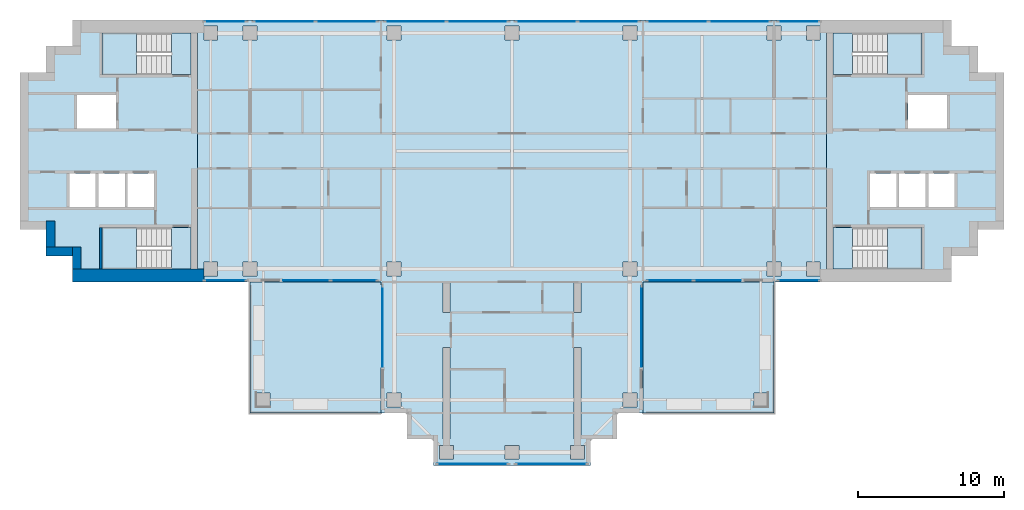
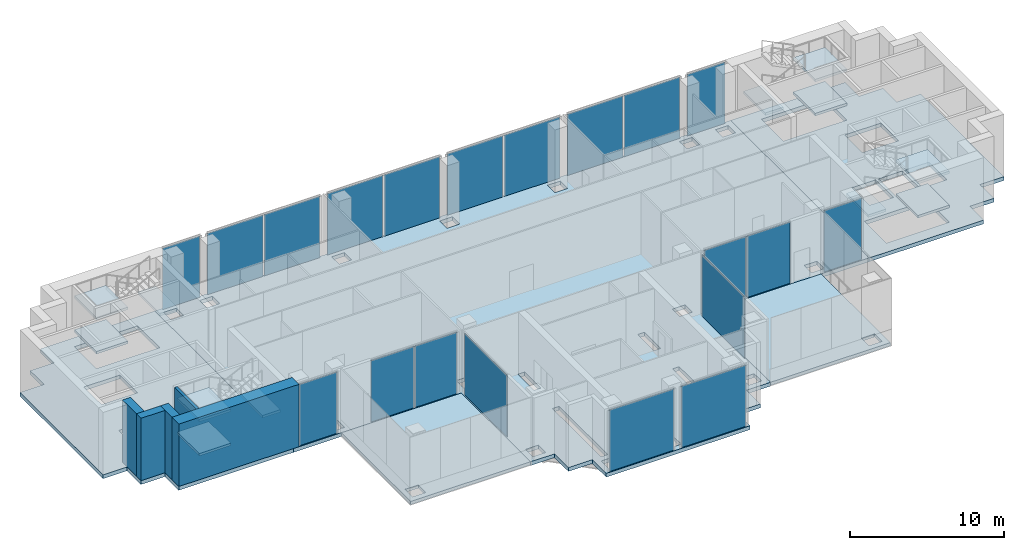
# One storey, part 4 of 12: 20 plates, 17 slabs, 5 walls, 18 elements without a shape of their own.
"""IFC4 building model written with IfcOpenShell, lengths in metres."""

from ifc_helpers import new_model, si_unit, direction, frame, frame_2d, origin, origin_2d, place, context, subcontext, project, spatial, polyline, rectangle, outline, extrude, material, layer, layer_set, type_object, element, aggregate, save


model = new_model("IFC4")

# Units and contexts
model_context = context("Model", 3, precision=1e-05, world=origin(), true_north=direction((0.0, 1.0)))
body_context = subcontext(model_context, "Body", "Model", "MODEL_VIEW")
ifc_project = project(units=[si_unit("LENGTHUNIT", "METRE"), si_unit("AREAUNIT", "SQUARE_METRE"), si_unit("VOLUMEUNIT", "CUBIC_METRE"), si_unit("PLANEANGLEUNIT", "RADIAN"), si_unit("MASSUNIT", "GRAM", prefix="KILO")], contexts=[model_context])

# Site, building, storey
site_placement = place(None, origin())
site = spatial("IfcSite", under=ifc_project, at=site_placement, CompositionType="ELEMENT")
building_placement = place(site_placement, origin())
building = spatial("IfcBuilding", under=site, at=building_placement, Name="Perihelion Cross Residences", CompositionType="ELEMENT")
storey_placement = place(building_placement, frame((0.0, 0.0, 222.60009765625)))
storey = spatial("IfcBuildingStorey", under=building, at=storey_placement, Name="L56", CompositionType="ELEMENT", Elevation=222.60009765625)

# Curtain wall, plate
ifc_material_1 = material(Name="Bronze anodised aluminium, tinted glazing", Category="aluminium")
curtain_wall_type = type_object("IfcCurtainWallType", Name="CW3", PredefinedType="NOTDEFINED", material=ifc_material_1)
curtain_wall_1_placement = place(storey_placement, origin())
curtain_wall_1 = element("IfcCurtainWall", 1, at=curtain_wall_1_placement, inside=storey, type_object=curtain_wall_type, Name="Curtain wall CW3 L56 east side north bay 1", PredefinedType="NOTDEFINED")
ifc_material_2 = material(Name="Tinted laminated glass", Category="glass")
ifc_layer_1 = layer(ifc_material_2, 0.035888671875)
ifc_layer_set_1 = layer_set([ifc_layer_1], Name="CW3 panel")
plate_type = type_object("IfcPlateType", Name="CW3 panel", PredefinedType="CURTAIN_PANEL", material=ifc_layer_set_1)
plate_1_placement = place(storey_placement, frame((19.6875, 8.89990234375, -0.000244140625), z_axis=(0.0, 0.0, 1.0), x_axis=(-1.0, 0.0, 0.0)))
plate_1 = element("IfcPlate", 2, at=plate_1_placement, type_object=plate_type, Name="CW3 panel 1", PredefinedType="CURTAIN_PANEL", context=body_context, shape_type="SweptSolid", body=[
    extrude(rectangle(XDim=2.81494140625, YDim=0.035888671875, at=origin_2d()), origin(), (0.0, 0.0, 1.0), 4.8701171875),
])
aggregate(curtain_wall_1, [plate_1])

# Curtain wall, plates
curtain_wall_2_placement = place(storey_placement, origin())
curtain_wall_2 = element("IfcCurtainWall", 3, at=curtain_wall_2_placement, inside=storey, type_object=curtain_wall_type, Name="Curtain wall CW3 L56 east side north bay 2", PredefinedType="NOTDEFINED")
plate_2_placement = place(storey_placement, frame((15.6298828125, 8.89990234375, -0.000244140625), z_axis=(0.0, 0.0, 1.0), x_axis=(-1.0, 0.0, 0.0)))
plate_2 = element("IfcPlate", 4, at=plate_2_placement, type_object=plate_type, Name="CW3 panel 1", PredefinedType="CURTAIN_PANEL", context=body_context, shape_type="SweptSolid", body=[
    extrude(rectangle(XDim=4.179931640625, YDim=0.035888671875, at=origin_2d()), origin(), (0.0, 0.0, 1.0), 4.8701171875),
])
plate_3_placement = place(storey_placement, frame((11.3701171875, 8.89990234375, -0.000244140625), z_axis=(0.0, 0.0, 1.0), x_axis=(-1.0, 0.0, 0.0)))
plate_3 = element("IfcPlate", 5, at=plate_3_placement, type_object=plate_type, Name="CW3 panel 2", PredefinedType="CURTAIN_PANEL", context=body_context, shape_type="SweptSolid", body=[
    extrude(rectangle(XDim=4.179931640625, YDim=0.035888671875, at=origin_2d()), origin(), (0.0, 0.0, 1.0), 4.8701171875),
])
aggregate(curtain_wall_2, [plate_2, plate_3])

curtain_wall_3_placement = place(storey_placement, origin())
curtain_wall_3 = element("IfcCurtainWall", 6, at=curtain_wall_3_placement, inside=storey, type_object=curtain_wall_type, Name="Curtain wall CW3 L56 north side east bay 1", PredefinedType="NOTDEFINED")
plate_4_placement = place(storey_placement, frame((6.6298828125, 8.89990234375, -0.000244140625), z_axis=(0.0, 0.0, 1.0), x_axis=(-1.0, 0.0, 0.0)))
plate_4 = element("IfcPlate", 7, at=plate_4_placement, type_object=plate_type, Name="CW3 panel 1", PredefinedType="CURTAIN_PANEL", context=body_context, shape_type="SweptSolid", body=[
    extrude(rectangle(XDim=4.179931640625, YDim=0.035888671875, at=origin_2d()), origin(), (0.0, 0.0, 1.0), 4.8701171875),
])
plate_5_placement = place(storey_placement, frame((2.3701171875, 8.89990234375, -0.000244140625), z_axis=(0.0, 0.0, 1.0), x_axis=(-1.0, 0.0, 0.0)))
plate_5 = element("IfcPlate", 8, at=plate_5_placement, type_object=plate_type, Name="CW3 panel 2", PredefinedType="CURTAIN_PANEL", context=body_context, shape_type="SweptSolid", body=[
    extrude(rectangle(XDim=4.179931640625, YDim=0.035888671875, at=origin_2d()), origin(), (0.0, 0.0, 1.0), 4.8701171875),
])
aggregate(curtain_wall_3, [plate_4, plate_5])

curtain_wall_4_placement = place(storey_placement, origin())
curtain_wall_4 = element("IfcCurtainWall", 9, at=curtain_wall_4_placement, inside=storey, type_object=curtain_wall_type, Name="Curtain wall CW3 L56 north side east bay 2", PredefinedType="NOTDEFINED")
plate_6_placement = place(storey_placement, frame((-2.3701171875, 8.89990234375, -0.000244140625), z_axis=(0.0, 0.0, 1.0), x_axis=(-1.0, 0.0, 0.0)))
plate_6 = element("IfcPlate", 10, at=plate_6_placement, type_object=plate_type, Name="CW3 panel 1", PredefinedType="CURTAIN_PANEL", context=body_context, shape_type="SweptSolid", body=[
    extrude(rectangle(XDim=4.179931640625, YDim=0.035888671875, at=origin_2d()), origin(), (0.0, 0.0, 1.0), 4.8701171875),
])
plate_7_placement = place(storey_placement, frame((-6.6298828125, 8.89990234375, -0.000244140625), z_axis=(0.0, 0.0, 1.0), x_axis=(-1.0, 0.0, 0.0)))
plate_7 = element("IfcPlate", 11, at=plate_7_placement, type_object=plate_type, Name="CW3 panel 2", PredefinedType="CURTAIN_PANEL", context=body_context, shape_type="SweptSolid", body=[
    extrude(rectangle(XDim=4.179931640625, YDim=0.035888671875, at=origin_2d()), origin(), (0.0, 0.0, 1.0), 4.8701171875),
])
aggregate(curtain_wall_4, [plate_6, plate_7])

curtain_wall_5_placement = place(storey_placement, origin())
curtain_wall_5 = element("IfcCurtainWall", 12, at=curtain_wall_5_placement, inside=storey, type_object=curtain_wall_type, Name="Curtain wall CW3 L56 west side north bay 1", PredefinedType="NOTDEFINED")
plate_8_placement = place(storey_placement, frame((-11.3701171875, 8.89990234375, -0.000244140625), z_axis=(0.0, 0.0, 1.0), x_axis=(-1.0, 0.0, 0.0)))
plate_8 = element("IfcPlate", 13, at=plate_8_placement, type_object=plate_type, Name="CW3 panel 1", PredefinedType="CURTAIN_PANEL", context=body_context, shape_type="SweptSolid", body=[
    extrude(rectangle(XDim=4.179931640625, YDim=0.035888671875, at=origin_2d()), origin(), (0.0, 0.0, 1.0), 4.8701171875),
])
plate_9_placement = place(storey_placement, frame((-15.6298828125, 8.89990234375, -0.000244140625), z_axis=(0.0, 0.0, 1.0), x_axis=(-1.0, 0.0, 0.0)))
plate_9 = element("IfcPlate", 14, at=plate_9_placement, type_object=plate_type, Name="CW3 panel 2", PredefinedType="CURTAIN_PANEL", context=body_context, shape_type="SweptSolid", body=[
    extrude(rectangle(XDim=4.179931640625, YDim=0.035888671875, at=origin_2d()), origin(), (0.0, 0.0, 1.0), 4.8701171875),
])
aggregate(curtain_wall_5, [plate_8, plate_9])

# Curtain wall, plate
curtain_wall_6_placement = place(storey_placement, origin())
curtain_wall_6 = element("IfcCurtainWall", 15, at=curtain_wall_6_placement, inside=storey, type_object=curtain_wall_type, Name="Curtain wall CW3 L56 west side north bay 2", PredefinedType="NOTDEFINED")
plate_10_placement = place(storey_placement, frame((-19.6875, 8.89990234375, -0.000244140625), z_axis=(0.0, 0.0, 1.0), x_axis=(-1.0, 0.0, 0.0)))
plate_10 = element("IfcPlate", 16, at=plate_10_placement, type_object=plate_type, Name="CW3 panel 1", PredefinedType="CURTAIN_PANEL", context=body_context, shape_type="SweptSolid", body=[
    extrude(rectangle(XDim=2.81494140625, YDim=0.035888671875, at=origin_2d()), origin(), (0.0, 0.0, 1.0), 4.8701171875),
])
aggregate(curtain_wall_6, [plate_10])

curtain_wall_7_placement = place(storey_placement, origin())
curtain_wall_7 = element("IfcCurtainWall", 17, at=curtain_wall_7_placement, inside=storey, type_object=curtain_wall_type, Name="Curtain wall CW3 L56 west side south bay 1", PredefinedType="NOTDEFINED")
plate_11_placement = place(storey_placement, frame((-19.6875, -8.89990234375, -0.000244140625), z_axis=(0.0, 0.0, 1.0), x_axis=(1.0, 0.0, 0.0)))
plate_11 = element("IfcPlate", 18, at=plate_11_placement, type_object=plate_type, Name="CW3 panel 1", PredefinedType="CURTAIN_PANEL", context=body_context, shape_type="SweptSolid", body=[
    extrude(rectangle(XDim=2.81494140625, YDim=0.035888671875, at=origin_2d()), origin(), (0.0, 0.0, 1.0), 4.8701171875),
])
aggregate(curtain_wall_7, [plate_11])

# Curtain wall, plates
curtain_wall_8_placement = place(storey_placement, origin())
curtain_wall_8 = element("IfcCurtainWall", 19, at=curtain_wall_8_placement, inside=storey, type_object=curtain_wall_type, Name="Curtain wall CW3 L56 west side south bay 2", PredefinedType="NOTDEFINED")
plate_12_placement = place(storey_placement, frame((-14.11376953125, -8.89990234375, -0.000244140625), z_axis=(0.0, 0.0, 1.0), x_axis=(1.0, 0.0, 0.0)))
plate_12 = element("IfcPlate", 20, at=plate_12_placement, type_object=plate_type, Name="CW3 panel 1", PredefinedType="CURTAIN_PANEL", context=body_context, shape_type="SweptSolid", body=[
    extrude(rectangle(XDim=3.222412109375, YDim=0.035888671875, at=origin_2d()), origin(), (0.0, 0.0, 1.0), 4.8701171875),
])
plate_13_placement = place(storey_placement, frame((-10.851318359375, -8.89990234375, -0.000244140625), z_axis=(0.0, 0.0, 1.0), x_axis=(1.0, 0.0, 0.0)))
plate_13 = element("IfcPlate", 21, at=plate_13_placement, type_object=plate_type, Name="CW3 panel 2", PredefinedType="CURTAIN_PANEL", context=body_context, shape_type="SweptSolid", body=[
    extrude(rectangle(XDim=3.142578125, YDim=0.035888671875, at=origin_2d()), origin(), (0.0, 0.0, 1.0), 4.8701171875),
])
aggregate(curtain_wall_8, [plate_12, plate_13])

# Curtain wall, plate
curtain_wall_9_placement = place(storey_placement, origin())
curtain_wall_9 = element("IfcCurtainWall", 22, at=curtain_wall_9_placement, inside=storey, type_object=curtain_wall_type, Name="Curtain wall CW3 L56 south side west bay 1", PredefinedType="NOTDEFINED")
plate_14_placement = place(storey_placement, frame((-8.89990234375, -12.052490234375, -0.000244140625), z_axis=(0.0, 0.0, 1.0), x_axis=(0.0, -1.0, 0.0)))
plate_14 = element("IfcPlate", 23, at=plate_14_placement, type_object=plate_type, Name="CW3 panel 1", PredefinedType="CURTAIN_PANEL", context=body_context, shape_type="SweptSolid", body=[
    extrude(rectangle(XDim=5.544921875, YDim=0.035888671875, at=origin_2d()), origin(), (0.0, 0.0, 1.0), 4.8701171875),
])
aggregate(curtain_wall_9, [plate_14])

curtain_wall_10_placement = place(storey_placement, origin())
curtain_wall_10 = element("IfcCurtainWall", 24, at=curtain_wall_10_placement, inside=storey, type_object=curtain_wall_type, Name="Curtain wall CW3 L56 south tip south bay 1", PredefinedType="NOTDEFINED")
plate_15_placement = place(storey_placement, frame((-2.699951171875, -21.5, -0.000244140625), z_axis=(0.0, 0.0, 1.0), x_axis=(1.0, 0.0, 0.0)))
plate_15 = element("IfcPlate", 25, at=plate_15_placement, type_object=plate_type, Name="CW3 panel 1", PredefinedType="CURTAIN_PANEL", context=body_context, shape_type="SweptSolid", body=[
    extrude(rectangle(XDim=4.840087890625, YDim=0.035888671875, at=origin_2d()), origin(), (0.0, 0.0, 1.0), 4.8701171875),
])
aggregate(curtain_wall_10, [plate_15])

curtain_wall_11_placement = place(storey_placement, origin())
curtain_wall_11 = element("IfcCurtainWall", 26, at=curtain_wall_11_placement, inside=storey, type_object=curtain_wall_type, Name="Curtain wall CW3 L56 south tip south bay 2", PredefinedType="NOTDEFINED")
plate_16_placement = place(storey_placement, frame((2.699951171875, -21.5, -0.000244140625), z_axis=(0.0, 0.0, 1.0), x_axis=(1.0, 0.0, 0.0)))
plate_16 = element("IfcPlate", 27, at=plate_16_placement, type_object=plate_type, Name="CW3 panel 1", PredefinedType="CURTAIN_PANEL", context=body_context, shape_type="SweptSolid", body=[
    extrude(rectangle(XDim=4.840087890625, YDim=0.035888671875, at=origin_2d()), origin(), (0.0, 0.0, 1.0), 4.8701171875),
])
aggregate(curtain_wall_11, [plate_16])

curtain_wall_12_placement = place(storey_placement, origin())
curtain_wall_12 = element("IfcCurtainWall", 28, at=curtain_wall_12_placement, inside=storey, type_object=curtain_wall_type, Name="Curtain wall CW3 L56 south side east bay 1", PredefinedType="NOTDEFINED")
plate_17_placement = place(storey_placement, frame((8.89990234375, -12.052490234375, -0.000244140625), z_axis=(0.0, 0.0, 1.0), x_axis=(0.0, 1.0, 0.0)))
plate_17 = element("IfcPlate", 29, at=plate_17_placement, type_object=plate_type, Name="CW3 panel 1", PredefinedType="CURTAIN_PANEL", context=body_context, shape_type="SweptSolid", body=[
    extrude(rectangle(XDim=5.544921875, YDim=0.035888671875, at=origin_2d()), origin(), (0.0, 0.0, 1.0), 4.8701171875),
])
aggregate(curtain_wall_12, [plate_17])

# Curtain wall, plates
curtain_wall_13_placement = place(storey_placement, origin())
curtain_wall_13 = element("IfcCurtainWall", 30, at=curtain_wall_13_placement, inside=storey, type_object=curtain_wall_type, Name="Curtain wall CW3 L56 east side south bay 1", PredefinedType="NOTDEFINED")
plate_18_placement = place(storey_placement, frame((10.851318359375, -8.89990234375, -0.000244140625), z_axis=(0.0, 0.0, 1.0), x_axis=(1.0, 0.0, 0.0)))
plate_18 = element("IfcPlate", 31, at=plate_18_placement, type_object=plate_type, Name="CW3 panel 1", PredefinedType="CURTAIN_PANEL", context=body_context, shape_type="SweptSolid", body=[
    extrude(rectangle(XDim=3.142578125, YDim=0.035888671875, at=origin_2d()), origin(), (0.0, 0.0, 1.0), 4.8701171875),
])
plate_19_placement = place(storey_placement, frame((14.11376953125, -8.89990234375, -0.000244140625), z_axis=(0.0, 0.0, 1.0), x_axis=(1.0, 0.0, 0.0)))
plate_19 = element("IfcPlate", 32, at=plate_19_placement, type_object=plate_type, Name="CW3 panel 2", PredefinedType="CURTAIN_PANEL", context=body_context, shape_type="SweptSolid", body=[
    extrude(rectangle(XDim=3.222412109375, YDim=0.035888671875, at=origin_2d()), origin(), (0.0, 0.0, 1.0), 4.8701171875),
])
aggregate(curtain_wall_13, [plate_18, plate_19])

# Curtain wall, plate
curtain_wall_14_placement = place(storey_placement, origin())
curtain_wall_14 = element("IfcCurtainWall", 33, at=curtain_wall_14_placement, inside=storey, type_object=curtain_wall_type, Name="Curtain wall CW3 L56 east side south bay 2", PredefinedType="NOTDEFINED")
plate_20_placement = place(storey_placement, frame((19.6875, -8.89990234375, -0.000244140625), z_axis=(0.0, 0.0, 1.0), x_axis=(1.0, 0.0, 0.0)))
plate_20 = element("IfcPlate", 34, at=plate_20_placement, type_object=plate_type, Name="CW3 panel 1", PredefinedType="CURTAIN_PANEL", context=body_context, shape_type="SweptSolid", body=[
    extrude(rectangle(XDim=2.81494140625, YDim=0.035888671875, at=origin_2d()), origin(), (0.0, 0.0, 1.0), 4.8701171875),
])
aggregate(curtain_wall_14, [plate_20])

# Slabs
ifc_material_3 = material(Name="Concrete C40/50", Category="concrete")
ifc_layer_2 = layer(ifc_material_3, 0.300048828125)
ifc_layer_set_2 = layer_set([ifc_layer_2], Name="Core floor slab 300")
slab_type_1 = type_object("IfcSlabType", Name="Core floor slab 300", PredefinedType="FLOOR", material=ifc_layer_set_2)
slab_1_placement = place(storey_placement, frame((0.0, 0.0, -0.300048828125)))
element("IfcSlab", 35, at=slab_1_placement, inside=storey, type_object=slab_type_1, Name="East core floor slab", PredefinedType="FLOOR", context=body_context, shape_type="SweptSolid", body=[
    extrude(outline(polyline([(30.199951171875, 7.199951171875), (32.0, 7.199951171875), (32.0, 5.39990234375), (33.800048828125, 5.39990234375), (33.800048828125, -5.39990234375), (32.0, -5.39990234375), (32.0, -7.199951171875), (30.199951171875, -7.199951171875), (30.199951171875, -9.0), (21.60009765625, -9.0), (21.60009765625, 9.0), (30.199951171875, 9.0), (30.199951171875, 7.199951171875)]), holes=[polyline([(28.14990234375, -8.10009765625), (28.14990234375, -5.25), (23.405029296875, -5.25), (23.405029296875, -8.10009765625), (28.14990234375, -8.10009765625)]), polyline([(24.60009765625, -1.550048828125), (24.60009765625, -3.85009765625), (26.39990234375, -3.85009765625), (26.39990234375, -1.550048828125), (24.60009765625, -1.550048828125)]), polyline([(26.60009765625, -1.550048828125), (26.60009765625, -3.85009765625), (28.39990234375, -3.85009765625), (28.39990234375, -1.550048828125), (26.60009765625, -1.550048828125)]), polyline([(28.60009765625, -3.85009765625), (30.39990234375, -3.85009765625), (30.39990234375, -1.550048828125), (28.60009765625, -1.550048828125), (28.60009765625, -3.85009765625)]), polyline([(27.199951171875, 3.85009765625), (27.199951171875, 1.550048828125), (29.89990234375, 1.550048828125), (29.89990234375, 3.85009765625), (27.199951171875, 3.85009765625)]), polyline([(23.405029296875, 5.25), (28.14990234375, 5.25), (28.14990234375, 8.10009765625), (23.405029296875, 8.10009765625), (23.405029296875, 5.25)])]), origin(), (0.0, 0.0, 1.0), 0.300048828125),
])
slab_2_placement = place(storey_placement, frame((0.0, 0.0, -0.300048828125)))
element("IfcSlab", 36, at=slab_2_placement, inside=storey, type_object=slab_type_1, Name="West core floor slab", PredefinedType="FLOOR", context=body_context, shape_type="SweptSolid", body=[
    extrude(outline(polyline([(-30.199951171875, 7.199951171875), (-32.0, 7.199951171875), (-32.0, 5.39990234375), (-33.800048828125, 5.39990234375), (-33.800048828125, -5.39990234375), (-32.0, -5.39990234375), (-32.0, -7.199951171875), (-30.199951171875, -7.199951171875), (-30.199951171875, -9.0), (-21.60009765625, -9.0), (-21.60009765625, 9.0), (-30.199951171875, 9.0), (-30.199951171875, 7.199951171875)]), holes=[polyline([(-28.14990234375, -8.10009765625), (-28.14990234375, -5.25), (-23.405029296875, -5.25), (-23.405029296875, -8.10009765625), (-28.14990234375, -8.10009765625)]), polyline([(-24.60009765625, -1.550048828125), (-24.60009765625, -3.85009765625), (-26.39990234375, -3.85009765625), (-26.39990234375, -1.550048828125), (-24.60009765625, -1.550048828125)]), polyline([(-26.60009765625, -1.550048828125), (-26.60009765625, -3.85009765625), (-28.39990234375, -3.85009765625), (-28.39990234375, -1.550048828125), (-26.60009765625, -1.550048828125)]), polyline([(-28.60009765625, -3.85009765625), (-30.39990234375, -3.85009765625), (-30.39990234375, -1.550048828125), (-28.60009765625, -1.550048828125), (-28.60009765625, -3.85009765625)]), polyline([(-27.199951171875, 3.85009765625), (-27.199951171875, 1.550048828125), (-29.89990234375, 1.550048828125), (-29.89990234375, 3.85009765625), (-27.199951171875, 3.85009765625)]), polyline([(-23.405029296875, 5.25), (-28.14990234375, 5.25), (-28.14990234375, 8.10009765625), (-23.405029296875, 8.10009765625), (-23.405029296875, 5.25)])]), origin(), (0.0, 0.0, 1.0), 0.300048828125),
])
ifc_material_4 = material(Name="Concrete C40/50", Category="concrete")
ifc_layer_3 = layer(ifc_material_4, 0.25)
ifc_layer_set_3 = layer_set([ifc_layer_3], Name="Corner terrace slab")
slab_type_2 = type_object("IfcSlabType", Name="Corner terrace slab", PredefinedType="FLOOR", material=ifc_layer_set_3)
slab_3_placement = place(storey_placement, frame((0.0, 0.0, -0.25)))
element("IfcSlab", 37, at=slab_3_placement, inside=storey, type_object=slab_type_2, Name="Slab BK2 L56 pocket south-west", PredefinedType="FLOOR", context=body_context, shape_type="SweptSolid", body=[
    extrude(outline(polyline([(-9.0, -18.0), (-9.0, -9.0), (-18.0, -9.0), (-18.0, -18.0), (-9.0, -18.0)]), holes=[polyline([(-16.625, -17.614990234375), (-17.614990234375, -17.614990234375), (-17.614990234375, -16.5849609375), (-17.574951171875, -16.5849609375), (-17.574951171875, -16.625), (-16.625, -16.625), (-16.625, -17.614990234375)])]), origin(), (0.0, 0.0, 1.0), 0.25),
])
slab_4_placement = place(storey_placement, frame((0.0, 0.0, -0.25)))
element("IfcSlab", 38, at=slab_4_placement, inside=storey, type_object=slab_type_2, Name="Slab BK2 L56 pocket south-east", PredefinedType="FLOOR", context=body_context, shape_type="SweptSolid", body=[
    extrude(outline(polyline([(18.0, -18.0), (18.0, -9.0), (9.0, -9.0), (9.0, -18.0), (18.0, -18.0)]), holes=[polyline([(16.625, -17.614990234375), (16.625, -16.625), (17.574951171875, -16.625), (17.574951171875, -16.5849609375), (17.614990234375, -16.5849609375), (17.614990234375, -17.614990234375), (16.625, -17.614990234375)])]), origin(), (0.0, 0.0, 1.0), 0.25),
])

# Stair, slabs
ifc_material_5 = material(Name="Concrete C40/50", Category="concrete")
stair_type = type_object("IfcStairType", Name="Exit stair, half-turn", PredefinedType="HALF_TURN_STAIR", material=ifc_material_5)
stair_1_placement = place(storey_placement, origin())
stair_1 = element("IfcStair", 39, at=stair_1_placement, inside=storey, type_object=stair_type, Name="L56 East core exit stair 1", PredefinedType="HALF_TURN_STAIR")
ifc_material_6 = material(Name="Concrete C40/50", Category="concrete")
ifc_layer_4 = layer(ifc_material_6, 0.199951171875)
ifc_layer_set_4 = layer_set([ifc_layer_4], Name="Exit stair landing 200")
slab_type_3 = type_object("IfcSlabType", Name="Exit stair landing 200", PredefinedType="LANDING", material=ifc_layer_set_4)
slab_5_placement = place(storey_placement, frame((0.0, 0.0, 1.14990234375)))
slab_5 = element("IfcSlab", 40, at=slab_5_placement, type_object=slab_type_3, Name="ST-E1 landing 1", PredefinedType="LANDING", context=body_context, shape_type="SweptSolid", body=[
    extrude(outline(polyline([(25.780029296875, 5.25), (28.14990234375, 5.25), (28.14990234375, 8.10009765625), (25.780029296875, 8.10009765625), (25.780029296875, 5.25)])), origin(), (0.0, 0.0, 1.0), 0.199951171875),
])
slab_6_placement = place(storey_placement, frame((0.0, 0.0, 2.5)))
slab_6 = element("IfcSlab", 41, at=slab_6_placement, type_object=slab_type_3, Name="ST-E1 landing 2", PredefinedType="LANDING", context=body_context, shape_type="SweptSolid", body=[
    extrude(outline(polyline([(22.050048828125, 5.25), (23.39990234375, 5.25), (23.39990234375, 8.10009765625), (22.050048828125, 8.10009765625), (22.050048828125, 5.25)])), origin(), (0.0, 0.0, 1.0), 0.199951171875),
])
slab_7_placement = place(storey_placement, frame((0.0, 0.0, 3.849853515625)))
slab_7 = element("IfcSlab", 42, at=slab_7_placement, type_object=slab_type_3, Name="ST-E1 landing 3", PredefinedType="LANDING", context=body_context, shape_type="SweptSolid", body=[
    extrude(outline(polyline([(25.780029296875, 5.25), (28.14990234375, 5.25), (28.14990234375, 8.10009765625), (25.780029296875, 8.10009765625), (25.780029296875, 5.25)])), origin(), (0.0, 0.0, 1.0), 0.199951171875),
])
aggregate(stair_1, [slab_5, slab_6, slab_7])

stair_2_placement = place(storey_placement, origin())
stair_2 = element("IfcStair", 43, at=stair_2_placement, inside=storey, type_object=stair_type, Name="L56 East core exit stair 2", PredefinedType="HALF_TURN_STAIR")
slab_8_placement = place(storey_placement, frame((0.0, 0.0, 1.14990234375)))
slab_8 = element("IfcSlab", 44, at=slab_8_placement, type_object=slab_type_3, Name="ST-E2 landing 1", PredefinedType="LANDING", context=body_context, shape_type="SweptSolid", body=[
    extrude(outline(polyline([(25.780029296875, -8.10009765625), (28.14990234375, -8.10009765625), (28.14990234375, -5.25), (25.780029296875, -5.25), (25.780029296875, -8.10009765625)])), origin(), (0.0, 0.0, 1.0), 0.199951171875),
])
slab_9_placement = place(storey_placement, frame((0.0, 0.0, 2.5)))
slab_9 = element("IfcSlab", 45, at=slab_9_placement, type_object=slab_type_3, Name="ST-E2 landing 2", PredefinedType="LANDING", context=body_context, shape_type="SweptSolid", body=[
    extrude(outline(polyline([(22.050048828125, -8.10009765625), (23.39990234375, -8.10009765625), (23.39990234375, -5.25), (22.050048828125, -5.25), (22.050048828125, -8.10009765625)])), origin(), (0.0, 0.0, 1.0), 0.199951171875),
])
slab_10_placement = place(storey_placement, frame((0.0, 0.0, 3.849853515625)))
slab_10 = element("IfcSlab", 46, at=slab_10_placement, type_object=slab_type_3, Name="ST-E2 landing 3", PredefinedType="LANDING", context=body_context, shape_type="SweptSolid", body=[
    extrude(outline(polyline([(25.780029296875, -8.10009765625), (28.14990234375, -8.10009765625), (28.14990234375, -5.25), (25.780029296875, -5.25), (25.780029296875, -8.10009765625)])), origin(), (0.0, 0.0, 1.0), 0.199951171875),
])
aggregate(stair_2, [slab_8, slab_9, slab_10])

stair_3_placement = place(storey_placement, origin())
stair_3 = element("IfcStair", 47, at=stair_3_placement, inside=storey, type_object=stair_type, Name="L56 West core exit stair 1", PredefinedType="HALF_TURN_STAIR")
slab_11_placement = place(storey_placement, frame((0.0, 0.0, 1.14990234375)))
slab_11 = element("IfcSlab", 48, at=slab_11_placement, type_object=slab_type_3, Name="ST-W1 landing 1", PredefinedType="LANDING", context=body_context, shape_type="SweptSolid", body=[
    extrude(outline(polyline([(-25.780029296875, 8.10009765625), (-28.14990234375, 8.10009765625), (-28.14990234375, 5.25), (-25.780029296875, 5.25), (-25.780029296875, 8.10009765625)])), origin(), (0.0, 0.0, 1.0), 0.199951171875),
])
slab_12_placement = place(storey_placement, frame((0.0, 0.0, 2.5)))
slab_12 = element("IfcSlab", 49, at=slab_12_placement, type_object=slab_type_3, Name="ST-W1 landing 2", PredefinedType="LANDING", context=body_context, shape_type="SweptSolid", body=[
    extrude(outline(polyline([(-22.050048828125, 8.10009765625), (-23.39990234375, 8.10009765625), (-23.39990234375, 5.25), (-22.050048828125, 5.25), (-22.050048828125, 8.10009765625)])), origin(), (0.0, 0.0, 1.0), 0.199951171875),
])
slab_13_placement = place(storey_placement, frame((0.0, 0.0, 3.849853515625)))
slab_13 = element("IfcSlab", 50, at=slab_13_placement, type_object=slab_type_3, Name="ST-W1 landing 3", PredefinedType="LANDING", context=body_context, shape_type="SweptSolid", body=[
    extrude(outline(polyline([(-25.780029296875, 8.10009765625), (-28.14990234375, 8.10009765625), (-28.14990234375, 5.25), (-25.780029296875, 5.25), (-25.780029296875, 8.10009765625)])), origin(), (0.0, 0.0, 1.0), 0.199951171875),
])
aggregate(stair_3, [slab_11, slab_12, slab_13])

stair_4_placement = place(storey_placement, origin())
stair_4 = element("IfcStair", 51, at=stair_4_placement, inside=storey, type_object=stair_type, Name="L56 West core exit stair 2", PredefinedType="HALF_TURN_STAIR")
slab_14_placement = place(storey_placement, frame((0.0, 0.0, 1.14990234375)))
slab_14 = element("IfcSlab", 52, at=slab_14_placement, type_object=slab_type_3, Name="ST-W2 landing 1", PredefinedType="LANDING", context=body_context, shape_type="SweptSolid", body=[
    extrude(outline(polyline([(-25.780029296875, -5.25), (-28.14990234375, -5.25), (-28.14990234375, -8.10009765625), (-25.780029296875, -8.10009765625), (-25.780029296875, -5.25)])), origin(), (0.0, 0.0, 1.0), 0.199951171875),
])
slab_15_placement = place(storey_placement, frame((0.0, 0.0, 2.5)))
slab_15 = element("IfcSlab", 53, at=slab_15_placement, type_object=slab_type_3, Name="ST-W2 landing 2", PredefinedType="LANDING", context=body_context, shape_type="SweptSolid", body=[
    extrude(outline(polyline([(-22.050048828125, -5.25), (-23.39990234375, -5.25), (-23.39990234375, -8.10009765625), (-22.050048828125, -8.10009765625), (-22.050048828125, -5.25)])), origin(), (0.0, 0.0, 1.0), 0.199951171875),
])
slab_16_placement = place(storey_placement, frame((0.0, 0.0, 3.849853515625)))
slab_16 = element("IfcSlab", 54, at=slab_16_placement, type_object=slab_type_3, Name="ST-W2 landing 3", PredefinedType="LANDING", context=body_context, shape_type="SweptSolid", body=[
    extrude(outline(polyline([(-25.780029296875, -5.25), (-28.14990234375, -5.25), (-28.14990234375, -8.10009765625), (-25.780029296875, -8.10009765625), (-25.780029296875, -5.25)])), origin(), (0.0, 0.0, 1.0), 0.199951171875),
])
aggregate(stair_4, [slab_14, slab_15, slab_16])

# Slab
ifc_material_7 = material(Name="Concrete C50/60", Category="concrete")
ifc_layer_5 = layer(ifc_material_7, 0.300048828125)
ifc_layer_set_5 = layer_set([ifc_layer_5], Name="Sky floor post-tensioned slab concrete C50/60")
slab_type_4 = type_object("IfcSlabType", Name="Sky floor post-tensioned slab concrete C50/60", PredefinedType="FLOOR", material=ifc_layer_set_5)
slab_17_placement = place(storey_placement, frame((0.0, 0.0, -0.300048828125)))
element("IfcSlab", 55, at=slab_17_placement, inside=storey, type_object=slab_type_4, Name="Slab SL9 L56 1 no. 1", PredefinedType="FLOOR", context=body_context, shape_type="SweptSolid", body=[
    extrude(outline(polyline([(-9.0, 9.0), (9.0, 9.0), (21.60009765625, 9.0), (21.60009765625, -9.0), (9.0, -9.0), (9.0, -18.0), (7.199951171875, -18.0), (7.199951171875, -19.800048828125), (5.39990234375, -19.800048828125), (5.39990234375, -21.60009765625), (-5.39990234375, -21.60009765625), (-5.39990234375, -19.800048828125), (-7.199951171875, -19.800048828125), (-7.199951171875, -18.0), (-9.0, -18.0), (-9.0, -9.0), (-21.60009765625, -9.0), (-21.60009765625, 9.0), (-9.0, 9.0)]), holes=[polyline([(-4.02490234375, -20.22509765625), (-4.97509765625, -20.22509765625), (-4.97509765625, -21.175048828125), (-4.02490234375, -21.175048828125), (-4.02490234375, -20.22509765625)]), polyline([(0.47509765625, -21.175048828125), (0.47509765625, -20.22509765625), (-0.47509765625, -20.22509765625), (-0.47509765625, -21.175048828125), (0.47509765625, -21.175048828125)]), polyline([(-7.625, -17.574951171875), (-7.625, -16.625), (-8.574951171875, -16.625), (-8.574951171875, -17.574951171875), (-7.625, -17.574951171875)]), polyline([(-4.25, -13.5), (-4.75, -13.5), (-4.75, -19.800048828125), (-4.25, -19.800048828125), (-4.25, -13.5)]), polyline([(-4.25, -11.10009765625), (-4.25, -9.0), (-4.75, -9.0), (-4.75, -11.10009765625), (-4.25, -11.10009765625)]), polyline([(-20.22509765625, -8.574951171875), (-20.22509765625, -7.625), (-21.175048828125, -7.625), (-21.175048828125, -8.574951171875), (-20.22509765625, -8.574951171875)]), polyline([(-17.52490234375, -7.625), (-18.47509765625, -7.625), (-18.47509765625, -8.574951171875), (-17.52490234375, -8.574951171875), (-17.52490234375, -7.625)]), polyline([(-7.625, -8.574951171875), (-7.625, -7.625), (-8.574951171875, -7.625), (-8.574951171875, -8.574951171875), (-7.625, -8.574951171875)]), polyline([(-20.22509765625, 8.574951171875), (-21.175048828125, 8.574951171875), (-21.175048828125, 7.625), (-20.22509765625, 7.625), (-20.22509765625, 8.574951171875)]), polyline([(-17.52490234375, 7.625), (-17.52490234375, 8.574951171875), (-18.47509765625, 8.574951171875), (-18.47509765625, 7.625), (-17.52490234375, 7.625)]), polyline([(-7.625, 7.625), (-7.625, 8.574951171875), (-8.574951171875, 8.574951171875), (-8.574951171875, 7.625), (-7.625, 7.625)]), polyline([(4.97509765625, -20.22509765625), (4.02490234375, -20.22509765625), (4.02490234375, -21.175048828125), (4.97509765625, -21.175048828125), (4.97509765625, -20.22509765625)]), polyline([(8.574951171875, -17.574951171875), (8.574951171875, -16.625), (7.625, -16.625), (7.625, -17.574951171875), (8.574951171875, -17.574951171875)]), polyline([(4.75, -19.800048828125), (4.75, -13.5), (4.25, -13.5), (4.25, -19.800048828125), (4.75, -19.800048828125)]), polyline([(4.75, -9.0), (4.25, -9.0), (4.25, -11.10009765625), (4.75, -11.10009765625), (4.75, -9.0)]), polyline([(8.574951171875, -8.574951171875), (8.574951171875, -7.625), (7.625, -7.625), (7.625, -8.574951171875), (8.574951171875, -8.574951171875)]), polyline([(18.47509765625, -8.574951171875), (18.47509765625, -7.625), (17.52490234375, -7.625), (17.52490234375, -8.574951171875), (18.47509765625, -8.574951171875)]), polyline([(21.175048828125, -7.625), (20.22509765625, -7.625), (20.22509765625, -8.574951171875), (21.175048828125, -8.574951171875), (21.175048828125, -7.625)]), polyline([(0.47509765625, 7.625), (0.47509765625, 8.574951171875), (-0.47509765625, 8.574951171875), (-0.47509765625, 7.625), (0.47509765625, 7.625)]), polyline([(8.574951171875, 8.574951171875), (7.625, 8.574951171875), (7.625, 7.625), (8.574951171875, 7.625), (8.574951171875, 8.574951171875)]), polyline([(18.47509765625, 7.625), (18.47509765625, 8.574951171875), (17.52490234375, 8.574951171875), (17.52490234375, 7.625), (18.47509765625, 7.625)]), polyline([(21.175048828125, 7.625), (21.175048828125, 8.574951171875), (20.22509765625, 8.574951171875), (20.22509765625, 7.625), (21.175048828125, 7.625)])]), origin(), (0.0, 0.0, 1.0), 0.300048828125),
])

# Walls
ifc_material_8 = material(Name="Concrete C60/75", Category="concrete")
ifc_layer_6 = layer(ifc_material_8, 0.60009765625)
ifc_layer_set_6 = layer_set([ifc_layer_6], Name="Core wall, outer 600")
wall_type_1 = type_object("IfcWallType", Name="Core wall, outer 600", PredefinedType="SHEAR", material=ifc_layer_set_6)
wall_1_placement = place(storey_placement, frame((-29.89990234375, -8.10009765625, 0.0), z_axis=(0.0, 0.0, 1.0), x_axis=(0.0, 1.0, 0.0)))
element("IfcWall", 56, at=wall_1_placement, inside=storey, type_object=wall_type_1, Name="West core core wall, outer", PredefinedType="SHEAR", context=body_context, shape_type="SweptSolid", body=[
    extrude(rectangle(XDim=1.5, YDim=0.60009765625, at=frame_2d((0.75, 0.0))), origin(), (0.0, 0.0, 1.0), 4.949951171875),
])
for number, where, z_axis, x_axis, name in (
    (57, (-32.0, -6.89990234375, 0.0), (0.0, 0.0, 1.0), (1.0, 0.0, 0.0), "West core core wall, outer"),
    (58, (-31.699951171875, -6.60009765625, 0.0), (0.0, 0.0, 1.0), (0.0, 1.0, 0.0), "West core core wall, outer"),
):
    element("IfcWall", number, at=place(storey_placement, frame(where, z_axis=z_axis, x_axis=x_axis)), inside=storey, type_object=wall_type_1, Name=name, PredefinedType="SHEAR", context=body_context, shape_type="SweptSolid", body=[
        extrude(rectangle(XDim=1.800048828125, YDim=0.60009765625, at=frame_2d((0.89990234375, 0.0))), origin(), (0.0, 0.0, 1.0), 4.949951171875),
    ])
ifc_material_9 = material(Name="Concrete C60/75", Category="concrete")
ifc_layer_7 = layer(ifc_material_9, 0.89990234375)
ifc_layer_set_7 = layer_set([ifc_layer_7], Name="Core wall, outer 900")
wall_type_2 = type_object("IfcWallType", Name="Core wall, outer 900", PredefinedType="SHEAR", material=ifc_layer_set_7)
wall_2_placement = place(storey_placement, frame((-30.199951171875, -8.550048828125, 0.0), z_axis=(0.0, 0.0, 1.0), x_axis=(1.0, 0.0, 0.0)))
element("IfcWall", 59, at=wall_2_placement, inside=storey, type_object=wall_type_2, Name="West core core wall, outer", PredefinedType="SHEAR", context=body_context, shape_type="SweptSolid", body=[
    extrude(rectangle(XDim=9.02490234375, YDim=0.89990234375, at=frame_2d((4.512451171875, 0.0))), origin(), (0.0, 0.0, 1.0), 4.949951171875),
])
ifc_material_10 = material(Name="Concrete C50/60", Category="concrete")
ifc_layer_8 = layer(ifc_material_10, 0.199951171875)
ifc_layer_set_8 = layer_set([ifc_layer_8], Name="Stair wall 200")
wall_type_3 = type_object("IfcWallType", Name="Stair wall 200", PredefinedType="SOLIDWALL", material=ifc_layer_set_8)
wall_3_placement = place(storey_placement, frame((-28.25, -8.10009765625, 0.0), z_axis=(0.0, 0.0, 1.0), x_axis=(0.0, 1.0, 0.0)))
element("IfcWall", 60, at=wall_3_placement, inside=storey, type_object=wall_type_3, Name="West core stair wall", PredefinedType="SOLIDWALL", context=body_context, shape_type="SweptSolid", body=[
    extrude(rectangle(XDim=2.85009765625, YDim=0.199951171875, at=frame_2d((1.425048828125, 0.0))), origin(), (0.0, 0.0, 1.0), 4.949951171875),
])

save(model, "model.ifc")
